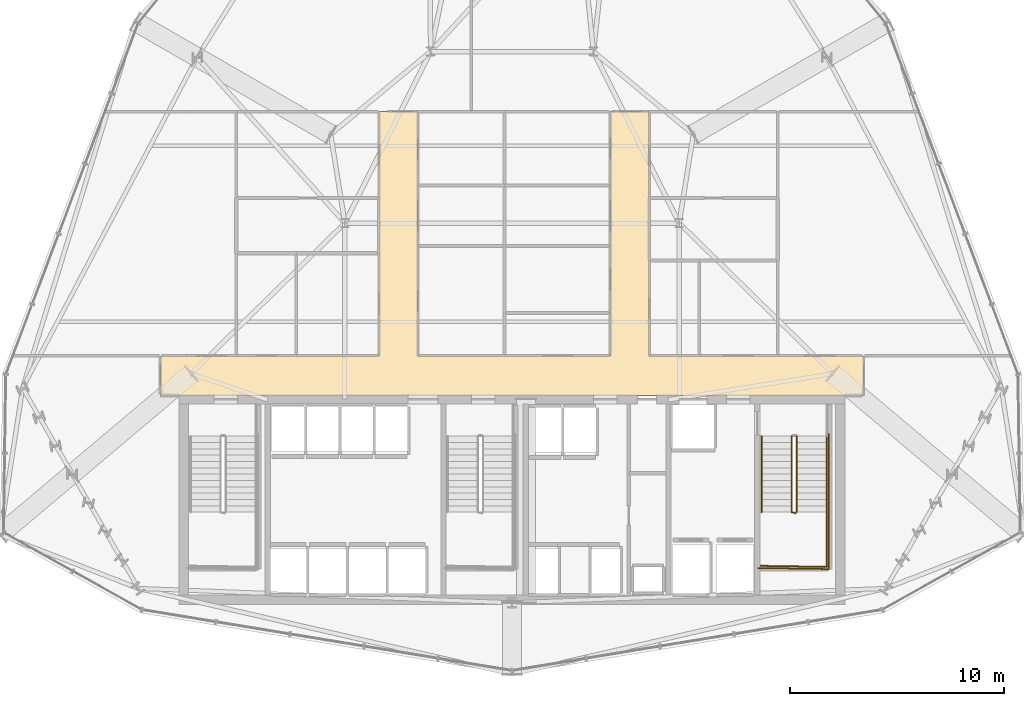
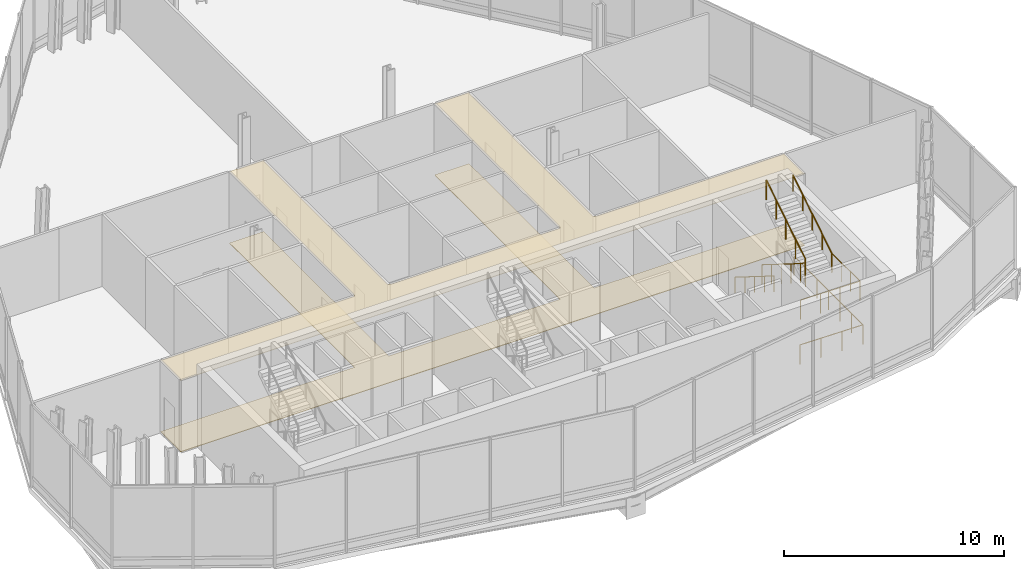
# One storey, part 25 of 26: 6 railings, 2 coverings.
"""IFC4 building model written with IfcOpenShell, lengths in metres."""

import ifcopenshell
import ifcopenshell.guid

model = None  # the IFC model being written
_history = None  # IfcOwnerHistory: only IFC2X3 demands one
_inside = {}  # id of a spatial element -> (the spatial element, [elements in it])
_under = {}  # id of a project, library or spatial element -> (it, [spatial elements below it])
_declared = {}  # id of a project -> (the project, [libraries it declares])
_typed = {}  # id of a type object -> (the type object, [elements of that type])
_made_of = {}  # id of a material, layer set ... -> (it, [elements and type objects made of it])


def new_model(schema):
    """Start an empty IFC model of exactly this schema.

    Asked for "IFC4X3", IfcOpenShell would pick the latest addendum, in which some entities
    have other attributes; the version numbers below select the first issue.
    IFC2X3 requires an IfcOwnerHistory on every rooted entity: one is made here for all.
    """
    global model, _history
    if schema == "IFC4X3":
        model = ifcopenshell.file(schema_version=(4, 3, 0, 0))
    else:
        model = ifcopenshell.file(schema=schema)
    _inside.clear()
    _under.clear()
    _declared.clear()
    _typed.clear()
    _made_of.clear()
    _history = None
    if model.schema == "IFC2X3":
        org = make("IfcOrganization", Name="unknown")
        user = make(
            "IfcPersonAndOrganization",
            ThePerson=make("IfcPerson", FamilyName="unknown"),
            TheOrganization=org,
        )
        app = make(
            "IfcApplication",
            ApplicationDeveloper=org,
            Version="unknown",
            ApplicationFullName="unknown",
            ApplicationIdentifier="unknown",
        )
        _history = make(
            "IfcOwnerHistory",
            OwningUser=user,
            OwningApplication=app,
            ChangeAction="ADDED",
            CreationDate=0,
        )
    return model


def make(cls, **values):
    """One entity of the class cls with the attributes given. An attribute that is None is left unset."""
    return model.create_entity(
        cls, **{name: value for name, value in values.items() if value is not None}
    )


def rooted(cls, **values):
    """An entity with a GlobalId (a new one), such as an element, a storey or a relation."""
    return make(cls, GlobalId=ifcopenshell.guid.new(), OwnerHistory=_history, **values)


def si_unit(unit_type, name, prefix=None):
    """IfcSIUnit, for example si_unit("LENGTHUNIT", "METRE", prefix="MILLI")."""
    return make("IfcSIUnit", UnitType=unit_type, Prefix=prefix, Name=name)


def assignment(units):
    """IfcUnitAssignment: the units of a project."""
    return None if units is None else make("IfcUnitAssignment", Units=units)


def point(xyz):
    """IfcCartesianPoint."""
    return None if xyz is None else make("IfcCartesianPoint", Coordinates=xyz)


def direction(xyz):
    """IfcDirection."""
    return None if xyz is None else make("IfcDirection", DirectionRatios=xyz)


def frame(location, z_axis=None, x_axis=None):
    """IfcAxis2Placement3D, a coordinate frame: its origin and axes. An axis left out is left unset."""
    return make(
        "IfcAxis2Placement3D",
        Location=point(location),
        Axis=direction(z_axis),
        RefDirection=direction(x_axis),
    )


def frame_2d(location, x_axis=None):
    """IfcAxis2Placement2D, a coordinate frame in the plane: its origin and x axis."""
    return make(
        "IfcAxis2Placement2D", Location=point(location), RefDirection=direction(x_axis)
    )


def origin():
    """The frame at (0, 0, 0) with its axes left unset."""
    return frame((0.0, 0.0, 0.0))


def origin_2d():
    """The frame at (0, 0) in the plane with its x axis left unset."""
    return frame_2d((0.0, 0.0))


def place(relative_to, where):
    """IfcLocalPlacement: puts the frame where relative to a parent placement (None: the world)."""
    return make(
        "IfcLocalPlacement", PlacementRelTo=relative_to, RelativePlacement=where
    )


def context(
    kind, dimensions, precision=None, world=None, true_north=None, identifier=None
):
    """IfcGeometricRepresentationContext, for example the 3D "Model" context."""
    return make(
        "IfcGeometricRepresentationContext",
        ContextIdentifier=identifier,
        ContextType=kind,
        CoordinateSpaceDimension=dimensions,
        Precision=precision,
        WorldCoordinateSystem=world,
        TrueNorth=true_north,
    )


def subcontext(parent, identifier, kind, view, scale=None):
    """IfcGeometricRepresentationSubContext, for example "Body" below "Model"."""
    return make(
        "IfcGeometricRepresentationSubContext",
        ContextIdentifier=identifier,
        ContextType=kind,
        ParentContext=parent,
        TargetScale=scale,
        TargetView=view,
    )


def project(units=None, contexts=None):
    """IfcProject with its units and contexts."""
    return rooted(
        "IfcProject",
        Name="project",
        RepresentationContexts=contexts,
        UnitsInContext=assignment(units),
    )


def spatial(cls, under=None, at=None, **own):
    """A site, building, storey or space (cls), placed at a placement, below another one or the project."""
    s = rooted(cls, ObjectPlacement=at, **own)
    if under is not None:
        _under.setdefault(under.id(), (under, []))[1].append(s)
    return s


def polyline(points):
    """IfcPolyline through the points."""
    return make("IfcPolyline", Points=[point(p) for p in points])


def profile(cls, at=None, kind="AREA", **sizes):
    """A parametric profile (cls). Its sizes go by their IFC names, for example OverallWidth=200.0."""
    return make(cls, ProfileType=kind, Position=at, **sizes)


def circle(**sizes):
    """IfcCircleProfileDef."""
    return profile("IfcCircleProfileDef", **sizes)


def outline(outer, holes=None, kind="AREA"):
    """IfcArbitraryClosedProfileDef: a profile drawn as a closed curve; with holes, ...WithVoids."""
    if holes is None:
        return make("IfcArbitraryClosedProfileDef", ProfileType=kind, OuterCurve=outer)
    return make(
        "IfcArbitraryProfileDefWithVoids",
        ProfileType=kind,
        OuterCurve=outer,
        InnerCurves=holes,
    )


def extrude(swept, where, along, depth):
    """IfcExtrudedAreaSolid: the profile swept, set in the frame where, extruded along a direction by depth."""
    return make(
        "IfcExtrudedAreaSolid",
        SweptArea=swept,
        Position=where,
        ExtrudedDirection=direction(along),
        Depth=depth,
    )


def shape(context_of_items, identifier, shape_type, items):
    """IfcShapeRepresentation: the items that make up one representation, for example the "Body"."""
    return make(
        "IfcShapeRepresentation",
        ContextOfItems=context_of_items,
        RepresentationIdentifier=identifier,
        RepresentationType=shape_type,
        Items=items,
    )


def material(Name=None, Category=None):
    """IfcMaterial."""
    return make("IfcMaterial", Name=Name, Category=Category)


def layer(
    of_material, thickness, ventilated=None, Name=None, Category=None, Priority=None
):
    """IfcMaterialLayer: one layer of a wall or slab, of a material (None: an air gap)."""
    return make(
        "IfcMaterialLayer",
        Material=of_material,
        LayerThickness=thickness,
        IsVentilated=ventilated,
        Name=Name,
        Category=Category,
        Priority=Priority,
    )


def layer_set(layers, Name=None):
    """IfcMaterialLayerSet."""
    return make("IfcMaterialLayerSet", MaterialLayers=layers, LayerSetName=Name)


def made_of(thing, what):
    """Note that an element or type object is made of a material, layer set ...; save() writes the relation."""
    if what is not None:
        _made_of.setdefault(what.id(), (what, []))[1].append(thing)
    return thing


def type_object(cls, material=None, **own):
    """A type object (cls), such as IfcWallType, which elements share."""
    return made_of(rooted(cls, **own), material)


def element(
    cls,
    number,
    at=None,
    inside=None,
    cuts=None,
    type_object=None,
    material=None,
    context=None,
    identifier="Body",
    shape_type=None,
    held_by="IfcProductDefinitionShape",
    body=None,
    shapes=None,
    **own,
):
    """One element of the class cls, such as IfcWall. Its Tag is "e" and its number.

    at: its placement. inside: the storey or other place that contains it. cuts: it is an
    opening in that element (IfcRelVoidsElement). A single representation is given by context,
    identifier, shape_type and body (its items); several are given by shapes. held_by: the class
    of the entity that holds the representations. save() writes the other relations.
    """
    e = rooted(cls, Tag="e%d" % number, ObjectPlacement=at, **own)
    if body is not None:
        shapes = [shape(context, identifier, shape_type, body)]
    if shapes is not None:
        e.Representation = make(held_by, Representations=shapes)
    if inside is not None:
        _inside.setdefault(inside.id(), (inside, []))[1].append(e)
    if cuts is not None:
        rooted(
            "IfcRelVoidsElement", RelatingBuildingElement=cuts, RelatedOpeningElement=e
        )
    if type_object is not None:
        _typed.setdefault(type_object.id(), (type_object, []))[1].append(e)
    return made_of(e, material)


def aggregate(whole, parts):
    """IfcRelAggregates: a whole, such as a stair, and the parts it consists of."""
    return rooted("IfcRelAggregates", RelatingObject=whole, RelatedObjects=parts)


def save(model, path):
    """Write the relations noted so far, then the file.

    IfcRelAggregates (storeys below a building ...), IfcRelContainedInSpatialStructure (elements
    in a storey), IfcRelDefinesByType, IfcRelAssociatesMaterial and IfcRelDeclares: one each for
    every whole, place, type object, material and project.
    """
    for whole, parts in _under.values():
        aggregate(whole, parts)
    for where, things in _inside.values():
        rooted(
            "IfcRelContainedInSpatialStructure",
            RelatedElements=things,
            RelatingStructure=where,
        )
    for kind, things in _typed.values():
        rooted("IfcRelDefinesByType", RelatedObjects=things, RelatingType=kind)
    for what, things in _made_of.values():
        rooted("IfcRelAssociatesMaterial", RelatedObjects=things, RelatingMaterial=what)
    for by, libraries in _declared.values():
        rooted("IfcRelDeclares", RelatingContext=by, RelatedDefinitions=libraries)
    model.write(path)


model = new_model("IFC4")

# Units and contexts
model_context = context("Model", 3, precision=1e-05, world=origin(), true_north=direction((0.0, 1.0)))
body_context = subcontext(model_context, "Body", "Model", "MODEL_VIEW")
ifc_project = project(units=[si_unit("LENGTHUNIT", "METRE"), si_unit("AREAUNIT", "SQUARE_METRE"), si_unit("VOLUMEUNIT", "CUBIC_METRE"), si_unit("PLANEANGLEUNIT", "RADIAN"), si_unit("MASSUNIT", "GRAM", prefix="KILO")], contexts=[model_context])

# Site, building, storey
site_placement = place(None, origin())
site = spatial("IfcSite", under=ifc_project, at=site_placement, CompositionType="ELEMENT")
building_placement = place(site_placement, origin())
building = spatial("IfcBuilding", under=site, at=building_placement, Name="Ndaravel Arena Tower", CompositionType="ELEMENT")
storey_placement = place(building_placement, frame((0.0, 0.0, 122.199951171875)))
storey = spatial("IfcBuildingStorey", under=building, at=storey_placement, Name="L28", CompositionType="ELEMENT", Elevation=122.199951171875)

# Coverings
ifc_material_1 = material(Name="Acoustic Ceiling Tile", Category="finish")
ifc_layer_1 = layer(ifc_material_1, 0.02490234375)
ifc_layer_set_1 = layer_set([ifc_layer_1], Name="Acoustic Ceiling Tile")
covering_type_1 = type_object("IfcCoveringType", Name="COV-CEIL-AC600", PredefinedType="CEILING", material=ifc_layer_set_1)
covering_1_placement = place(storey_placement, frame((0.0, 0.0, 3.98046875)))
element("IfcCovering", 1, at=covering_1_placement, inside=storey, type_object=covering_type_1, Name="L28 Corridor Acoustic Ceiling", PredefinedType="CEILING", context=body_context, shape_type="SweptSolid", body=[
    extrude(outline(polyline([(58.39990234375, 17.0), (48.39990234375, 17.0), (48.39990234375, 28.39990234375), (46.60009765625, 28.39990234375), (46.60009765625, 17.0), (37.60009765625, 17.0), (37.60009765625, 28.39990234375), (35.800048828125, 28.39990234375), (35.800048828125, 17.0), (25.60009765625, 17.0), (25.60009765625, 15.14990234375), (58.39990234375, 15.14990234375), (58.39990234375, 17.0)])), origin(), (0.0, 0.0, 1.0), 0.025146484375),
])
ifc_material_2 = material(Name="Terrazzo", Category="stone")
ifc_layer_2 = layer(ifc_material_2, 0.030029296875)
ifc_layer_set_2 = layer_set([ifc_layer_2], Name="Terrazzo")
covering_type_2 = type_object("IfcCoveringType", Name="COV-FLOOR-TERRAZZO", PredefinedType="FLOORING", material=ifc_layer_set_2)
covering_2_placement = place(storey_placement, origin())
element("IfcCovering", 2, at=covering_2_placement, inside=storey, type_object=covering_type_2, Name="L28 Corridor Terrazzo Flooring", PredefinedType="FLOORING", context=body_context, shape_type="SweptSolid", body=[
    extrude(outline(polyline([(58.39990234375, 17.0), (48.39990234375, 17.0), (48.39990234375, 28.39990234375), (46.60009765625, 28.39990234375), (46.60009765625, 17.0), (37.60009765625, 17.0), (37.60009765625, 28.39990234375), (35.800048828125, 28.39990234375), (35.800048828125, 17.0), (25.60009765625, 17.0), (25.60009765625, 15.14990234375), (58.39990234375, 15.14990234375), (58.39990234375, 17.0)])), origin(), (0.0, 0.0, 1.0), 0.030029296875),
])

# Railings
ifc_material_3 = material(Name="Steel S355", Category="steel")
ifc_layer_3 = layer(ifc_material_3, 0.06005859375)
ifc_layer_set_3 = layer_set([ifc_layer_3], Name="Steel S355")
railing_type_1 = type_object("IfcRailingType", Name="RAIL-STAIR-GD1100", PredefinedType="GUARDRAIL", material=ifc_layer_set_3)
railing_1_placement = place(storey_placement, frame((55.050048828125, 13.25, 0.1845703125)))
element("IfcRailing", 3, at=railing_1_placement, inside=storey, type_object=railing_type_1, Name="L28 ST-3 stair guard 1", PredefinedType="GUARDRAIL", context=body_context, shape_type="SweptSolid", body=[
    extrude(circle(Radius=0.02392578125, at=origin_2d()), frame((0.0, 0.0, 1.076171875), z_axis=(0.0, -0.847669714335, 0.530524321213), x_axis=(1.0, 0.0, 0.0)), (0.0, 0.0, 1.0), 4.17626953125),
    extrude(circle(Radius=0.02392578125, at=origin_2d()), frame((0.0, -3.5400390625, 3.29150390625), z_axis=(0.966993988697, -0.254799187253, 0.0), x_axis=(0.254799187253, 0.966993988697, 0.0)), (0.0, 0.0, 1.0), 0.196533203125),
    extrude(circle(Radius=0.02099609375, at=origin_2d()), origin(), (0.0, 0.0, 1.0), 1.052001953125),
    extrude(circle(Radius=0.02099609375, at=origin_2d()), frame((0.0, -0.885009765625, 0.553955078125)), (0.0, 0.0, 1.0), 1.052001953125),
    extrude(circle(Radius=0.02099609375, at=origin_2d()), frame((0.0, -1.77001953125, 1.10791015625)), (0.0, 0.0, 1.0), 1.052001953125),
    extrude(circle(Radius=0.02099609375, at=origin_2d()), frame((0.0, -2.655029296875, 1.66162109375)), (0.0, 0.0, 1.0), 1.052001953125),
    extrude(circle(Radius=0.02099609375, at=origin_2d()), frame((0.0, -3.5400390625, 2.215576171875)), (0.0, 0.0, 1.0), 1.052001953125),
    extrude(circle(Radius=0.02099609375, at=origin_2d()), frame((0.18994140625, -3.590087890625, 2.215576171875)), (0.0, 0.0, 1.0), 1.052001953125),
])
railing_2_placement = place(storey_placement, frame((56.68994140625, 9.7099609375, 2.400146484375)))
element("IfcRailing", 4, at=railing_2_placement, inside=storey, type_object=railing_type_1, Name="L28 ST-3 stair guard 2", PredefinedType="GUARDRAIL", context=body_context, shape_type="SweptSolid", body=[
    extrude(circle(Radius=0.02392578125, at=origin_2d()), frame((0.0, 0.0, 1.076171875), z_axis=(0.0, -1.0, 0.0), x_axis=(1.0, 0.0, 0.0)), (0.0, 0.0, 1.0), 2.56005859375),
    extrude(circle(Radius=0.02392578125, at=origin_2d()), frame((0.0, -2.56005859375, 1.076171875), z_axis=(-0.999868840623, 0.016195726322, 0.0), x_axis=(-0.016195726322, -0.999868840623, 0.0)), (0.0, 0.0, 1.0), 3.09033203125),
    extrude(circle(Radius=0.02099609375, at=origin_2d()), origin(), (0.0, 0.0, 1.0), 1.052001953125),
    extrude(circle(Radius=0.02099609375, at=origin_2d()), frame((0.0, -0.853271484375, 0.0)), (0.0, 0.0, 1.0), 1.052001953125),
    extrude(circle(Radius=0.02099609375, at=origin_2d()), frame((0.0, -1.706787109375, 0.0)), (0.0, 0.0, 1.0), 1.052001953125),
    extrude(circle(Radius=0.02099609375, at=origin_2d()), frame((0.0, -2.56005859375, 0.0)), (0.0, 0.0, 1.0), 1.052001953125),
    extrude(circle(Radius=0.02099609375, at=origin_2d()), frame((-1.030029296875, -2.54345703125, 0.0)), (0.0, 0.0, 1.0), 1.052001953125),
    extrude(circle(Radius=0.02099609375, at=origin_2d()), frame((-2.059814453125, -2.526611328125, 0.0)), (0.0, 0.0, 1.0), 1.052001953125),
    extrude(circle(Radius=0.02099609375, at=origin_2d()), frame((-3.08984375, -2.510009765625, 0.0)), (0.0, 0.0, 1.0), 1.052001953125),
])
railing_3_placement = place(storey_placement, frame((55.2900390625, 9.7099609375, 2.584716796875)))
element("IfcRailing", 5, at=railing_3_placement, inside=storey, type_object=railing_type_1, Name="L28 ST-3 stair guard 3", PredefinedType="GUARDRAIL", context=body_context, shape_type="SweptSolid", body=[
    extrude(circle(Radius=0.02392578125, at=origin_2d()), frame((0.0, 0.0, 1.076171875), z_axis=(0.0, 0.847696004112, 0.530482313194), x_axis=(-1.0, 0.0, 0.0)), (0.0, 0.0, 1.0), 4.176025390625),
    extrude(circle(Radius=0.02099609375, at=origin_2d()), origin(), (0.0, 0.0, 1.0), 1.052001953125),
    extrude(circle(Radius=0.02099609375, at=origin_2d()), frame((0.0, 0.885009765625, 0.5537109375)), (0.0, 0.0, 1.0), 1.052001953125),
    extrude(circle(Radius=0.02099609375, at=origin_2d()), frame((0.0, 1.77001953125, 1.107666015625)), (0.0, 0.0, 1.0), 1.052001953125),
    extrude(circle(Radius=0.02099609375, at=origin_2d()), frame((0.0, 2.655029296875, 1.66162109375)), (0.0, 0.0, 1.0), 1.052001953125),
    extrude(circle(Radius=0.02099609375, at=origin_2d()), frame((0.0, 3.5400390625, 2.21533203125)), (0.0, 0.0, 1.0), 1.052001953125),
])
railing_4_placement = place(storey_placement, frame((56.7900390625, 13.35009765625, 0.0)))
element("IfcRailing", 6, at=railing_4_placement, inside=storey, type_object=railing_type_1, Name="L28 ST-3 stair guard 6", PredefinedType="GUARDRAIL", context=body_context, shape_type="SweptSolid", body=[
    extrude(circle(Radius=0.02392578125, at=origin_2d()), frame((0.0, 0.0, 1.076171875), z_axis=(0.0, -1.0, 0.0), x_axis=(1.0, 0.0, 0.0)), (0.0, 0.0, 1.0), 6.300048828125),
    extrude(circle(Radius=0.02392578125, at=origin_2d()), frame((0.0, -6.300048828125, 1.076171875), z_axis=(-0.99988431412, 0.015210469308, 0.0), x_axis=(-0.015210469308, -0.99988431412, 0.0)), (0.0, 0.0, 1.0), 3.29052734375),
    extrude(circle(Radius=0.02099609375, at=origin_2d()), origin(), (0.0, 0.0, 1.0), 1.052001953125),
    extrude(circle(Radius=0.02099609375, at=origin_2d()), frame((0.0, -1.050048828125, 0.0)), (0.0, 0.0, 1.0), 1.052001953125),
    extrude(circle(Radius=0.02099609375, at=origin_2d()), frame((0.0, -2.10009765625, 0.0)), (0.0, 0.0, 1.0), 1.052001953125),
    extrude(circle(Radius=0.02099609375, at=origin_2d()), frame((0.0, -3.14990234375, 0.0)), (0.0, 0.0, 1.0), 1.052001953125),
    extrude(circle(Radius=0.02099609375, at=origin_2d()), frame((0.0, -4.199951171875, 0.0)), (0.0, 0.0, 1.0), 1.052001953125),
    extrude(circle(Radius=0.02099609375, at=origin_2d()), frame((0.0, -5.25, 0.0)), (0.0, 0.0, 1.0), 1.052001953125),
    extrude(circle(Radius=0.02099609375, at=origin_2d()), frame((0.0, -6.300048828125, 0.0)), (0.0, 0.0, 1.0), 1.052001953125),
    extrude(circle(Radius=0.02099609375, at=origin_2d()), frame((-1.0966796875, -6.283447265625, 0.0)), (0.0, 0.0, 1.0), 1.052001953125),
    extrude(circle(Radius=0.02099609375, at=origin_2d()), frame((-2.193359375, -6.2666015625, 0.0)), (0.0, 0.0, 1.0), 1.052001953125),
    extrude(circle(Radius=0.02099609375, at=origin_2d()), frame((-3.2900390625, -6.25, 0.0)), (0.0, 0.0, 1.0), 1.052001953125),
])
ifc_material_4 = material(Name="Steel S355", Category="steel")
ifc_layer_4 = layer(ifc_material_4, 0.050048828125)
ifc_layer_set_4 = layer_set([ifc_layer_4], Name="Steel S355")
railing_type_2 = type_object("IfcRailingType", Name="RAIL-STAIR-HR920", PredefinedType="HANDRAIL", material=ifc_layer_set_4)
railing_5_placement = place(storey_placement, frame((53.64990234375, 13.25, 0.1845703125)))
element("IfcRailing", 7, at=railing_5_placement, inside=storey, type_object=railing_type_2, Name="L28 ST-3 stair handrail 1", PredefinedType="HANDRAIL", context=body_context, shape_type="SweptSolid", body=[
    extrude(circle(Radius=0.02392578125, at=origin_2d()), frame((0.0, 0.0, 0.8759765625), z_axis=(0.0, -0.847669714335, 0.530524321213), x_axis=(1.0, 0.0, 0.0)), (0.0, 0.0, 1.0), 4.17626953125),
    extrude(circle(Radius=0.02099609375, at=origin_2d()), origin(), (0.0, 0.0, 1.0), 0.851806640625),
    extrude(circle(Radius=0.02099609375, at=origin_2d()), frame((0.0, -0.885009765625, 0.553955078125)), (0.0, 0.0, 1.0), 0.851806640625),
    extrude(circle(Radius=0.02099609375, at=origin_2d()), frame((0.0, -1.77001953125, 1.10791015625)), (0.0, 0.0, 1.0), 0.851806640625),
    extrude(circle(Radius=0.02099609375, at=origin_2d()), frame((0.0, -2.655029296875, 1.66162109375)), (0.0, 0.0, 1.0), 0.851806640625),
    extrude(circle(Radius=0.02099609375, at=origin_2d()), frame((0.0, -3.5400390625, 2.215576171875)), (0.0, 0.0, 1.0), 0.851806640625),
])
railing_6_placement = place(storey_placement, frame((56.68994140625, 9.7099609375, 2.584716796875)))
element("IfcRailing", 8, at=railing_6_placement, inside=storey, type_object=railing_type_2, Name="L28 ST-3 stair handrail 2", PredefinedType="HANDRAIL", context=body_context, shape_type="SweptSolid", body=[
    extrude(circle(Radius=0.02392578125, at=origin_2d()), frame((0.0, 0.0, 0.8759765625), z_axis=(0.0, 0.847696004112, 0.530482313194), x_axis=(-1.0, 0.0, 0.0)), (0.0, 0.0, 1.0), 4.176025390625),
    extrude(circle(Radius=0.02099609375, at=origin_2d()), origin(), (0.0, 0.0, 1.0), 0.851806640625),
    extrude(circle(Radius=0.02099609375, at=origin_2d()), frame((0.0, 0.885009765625, 0.5537109375)), (0.0, 0.0, 1.0), 0.851806640625),
    extrude(circle(Radius=0.02099609375, at=origin_2d()), frame((0.0, 1.77001953125, 1.107666015625)), (0.0, 0.0, 1.0), 0.851806640625),
    extrude(circle(Radius=0.02099609375, at=origin_2d()), frame((0.0, 2.655029296875, 1.66162109375)), (0.0, 0.0, 1.0), 0.851806640625),
    extrude(circle(Radius=0.02099609375, at=origin_2d()), frame((0.0, 3.5400390625, 2.21533203125)), (0.0, 0.0, 1.0), 0.851806640625),
])

save(model, "model.ifc")
